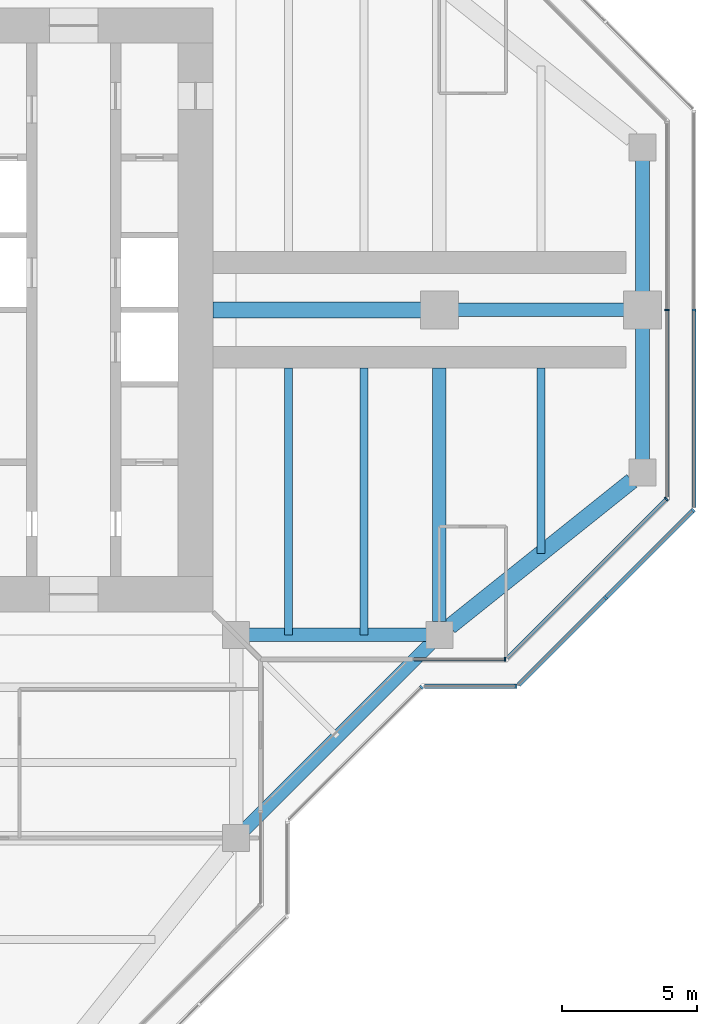
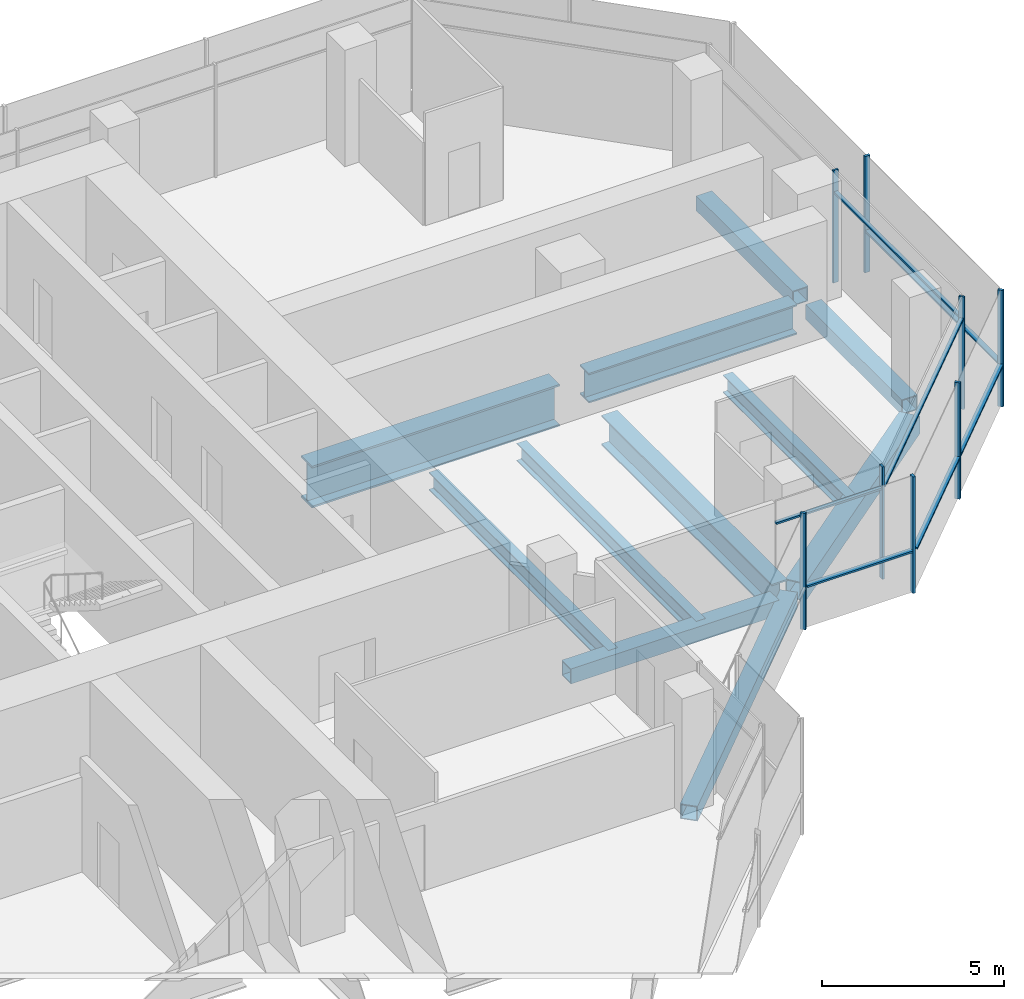
# One storey, part 5 of 15: 15 members, 11 beams, 7 elements without a shape of their own.
"""IFC4 building model written with IfcOpenShell, lengths in metres."""

from ifc_helpers import new_model, si_unit, direction, frame, origin, origin_2d, place, context, subcontext, project, spatial, rectangle, hollow_rectangle, i_section, extrude, material, material_profile, profile_set, type_object, element, aggregate, save


model = new_model("IFC4")

# Units and contexts
model_context = context("Model", 3, precision=1e-05, world=origin(), true_north=direction((0.0, 1.0)))
body_context = subcontext(model_context, "Body", "Model", "MODEL_VIEW")
ifc_project = project(units=[si_unit("LENGTHUNIT", "METRE"), si_unit("AREAUNIT", "SQUARE_METRE"), si_unit("VOLUMEUNIT", "CUBIC_METRE"), si_unit("PLANEANGLEUNIT", "RADIAN"), si_unit("MASSUNIT", "GRAM", prefix="KILO")], contexts=[model_context])

# Site, building, storey
site_placement = place(None, origin())
site = spatial("IfcSite", under=ifc_project, at=site_placement, CompositionType="ELEMENT")
building_placement = place(site_placement, origin())
building = spatial("IfcBuilding", under=site, at=building_placement, Name="Mizan Broadcast Tower", CompositionType="ELEMENT")
storey_placement = place(building_placement, frame((0.0, 0.0, 282.89990234375)))
storey = spatial("IfcBuildingStorey", under=building, at=storey_placement, Name="L67", CompositionType="ELEMENT", Elevation=282.89990234375)

# Beams
ifc_material_1 = material(Name="Steel S355", Category="steel")
ifc_material_profile_1 = material_profile(ifc_material_1, hollow_rectangle(XDim=0.5, YDim=0.5, WallThickness=0.030029296875, at=origin_2d()), Name="BOX 500x500x30")
ifc_profile_set_1 = profile_set([ifc_material_profile_1], Name="Steel S355")
beam_type_1 = type_object("IfcBeamType", Name="EDGE BEAM BOX 500x500x30", PredefinedType="SPANDREL", material=ifc_profile_set_1)
beam_1_placement = place(storey_placement, frame((12.449951171875, -12.0, -0.3798828125), z_axis=(1.0, 0.0, 0.0), x_axis=(0.0, 1.0, 0.0)))
element("IfcBeam", 1, at=beam_1_placement, inside=storey, type_object=beam_type_1, Name="Edge beam BOX 500x500x30 L67 east arm", PredefinedType="SPANDREL", context=body_context, shape_type="SweptSolid", body=[
    extrude(hollow_rectangle(XDim=0.5, YDim=0.5, WallThickness=0.030029296875, at=origin_2d()), origin(), (0.0, 0.0, 1.0), 6.60009765625),
])
for number, where, z_axis, x_axis, name in (
    (2, (27.0, -5.639892578125, -0.3798828125), (0.0, 1.0, 0.0), (-1.0, 0.0, 0.0), "Edge beam BOX 500x500x30 L67 east arm"),
    (3, (27.0, 5.639892578125, -0.3798828125), (0.0, -1.0, 0.0), (1.0, 0.0, 0.0), "Edge beam BOX 500x500x30 L67 east arm"),
):
    element("IfcBeam", number, at=place(storey_placement, frame(where, z_axis=z_axis, x_axis=x_axis)), inside=storey, type_object=beam_type_1, Name=name, PredefinedType="SPANDREL", context=body_context, shape_type="SweptSolid", body=[
        extrude(hollow_rectangle(XDim=0.5, YDim=0.5, WallThickness=0.030029296875, at=origin_2d()), origin(), (0.0, 0.0, 1.0), 5.27978515625),
    ])
beam_2_placement = place(storey_placement, frame((12.0, -19.5, -0.3798828125), z_axis=(0.707106781187, 0.707106781187, 0.0), x_axis=(-0.707106781187, 0.707106781187, 0.0)))
element("IfcBeam", 4, at=beam_2_placement, inside=storey, type_object=beam_type_1, Name="Winter garden edge beam L67 S", PredefinedType="SPANDREL", context=body_context, shape_type="SweptSolid", body=[
    extrude(hollow_rectangle(XDim=0.5, YDim=0.5, WallThickness=0.030029296875, at=origin_2d()), origin(), (0.0, 0.0, 1.0), 10.606689453125),
])
ifc_material_2 = material(Name="Steel S355", Category="steel")
ifc_material_profile_2 = material_profile(ifc_material_2, hollow_rectangle(XDim=0.60009765625, YDim=0.60009765625, WallThickness=0.030029296875, at=origin_2d()), Name="BOX 600x600x30")
ifc_profile_set_2 = profile_set([ifc_material_profile_2], Name="Steel S355")
beam_type_2 = type_object("IfcBeamType", Name="EDGE BEAM BOX 600x600x30", PredefinedType="SPANDREL", material=ifc_profile_set_2)
beam_3_placement = place(storey_placement, frame((19.890380859375, -11.687744140625, -0.429931640625), z_axis=(0.780863273348, 0.62470196761, 0.0), x_axis=(-0.62470196761, 0.780863273348, 0.0)))
element("IfcBeam", 5, at=beam_3_placement, inside=storey, type_object=beam_type_2, Name="Edge beam BOX 600x600x30 L67 east arm", PredefinedType="SPANDREL", context=body_context, shape_type="SweptSolid", body=[
    extrude(hollow_rectangle(XDim=0.60009765625, YDim=0.60009765625, WallThickness=0.030029296875, at=origin_2d()), origin(), (0.0, 0.0, 1.0), 8.60498046875),
])
ifc_material_3 = material(Name="Steel S460", Category="steel")
ifc_material_profile_3 = material_profile(ifc_material_3, i_section(OverallWidth=0.5, OverallDepth=1.0, WebThickness=0.02490234375, FlangeThickness=0.050048828125, at=origin_2d()), Name="WPG 1000x500")
ifc_profile_set_3 = profile_set([ifc_material_profile_3], Name="Steel S460")
beam_type_3 = type_object("IfcBeamType", Name="GIRDER WPG 1000x500", PredefinedType="BEAM", material=ifc_profile_set_3)
beam_4_placement = place(storey_placement, frame((19.949951171875, 0.0, -0.6298828125), z_axis=(1.0, 0.0, 0.0), x_axis=(0.0, 1.0, 0.0)))
element("IfcBeam", 6, at=beam_4_placement, inside=storey, type_object=beam_type_3, Name="Girder WPG 1000x500 L67 east arm", PredefinedType="BEAM", context=body_context, shape_type="SweptSolid", body=[
    extrude(i_section(OverallWidth=0.5, OverallDepth=1.0, WebThickness=0.02490234375, FlangeThickness=0.050048828125, at=origin_2d()), origin(), (0.0, 0.0, 1.0), 6.60009765625),
])
beam_5_placement = place(storey_placement, frame((19.5, -11.5, -0.6298828125), z_axis=(0.0, 1.0, 0.0), x_axis=(-1.0, 0.0, 0.0)))
element("IfcBeam", 7, at=beam_5_placement, inside=storey, type_object=beam_type_3, Name="Girder WPG 1000x500 L67 east arm", PredefinedType="BEAM", context=body_context, shape_type="SweptSolid", body=[
    extrude(i_section(OverallWidth=0.5, OverallDepth=1.0, WebThickness=0.02490234375, FlangeThickness=0.050048828125, at=origin_2d()), origin(), (0.0, 0.0, 1.0), 9.35009765625),
])
ifc_material_4 = material(Name="Steel S460", Category="steel")
ifc_material_profile_4 = material_profile(ifc_material_4, i_section(OverallWidth=0.60009765625, OverallDepth=1.39990234375, WebThickness=0.02490234375, FlangeThickness=0.06005859375, at=origin_2d()), Name="WPG 1400x600")
ifc_profile_set_4 = profile_set([ifc_material_profile_4], Name="Steel S460")
beam_type_4 = type_object("IfcBeamType", Name="GIRDER WPG 1400x600", PredefinedType="BEAM", material=ifc_profile_set_4)
beam_6_placement = place(storey_placement, frame((11.14990234375, 0.0, -0.829833984375), z_axis=(1.0, 0.0, 0.0), x_axis=(0.0, 1.0, 0.0)))
element("IfcBeam", 8, at=beam_6_placement, inside=storey, type_object=beam_type_4, Name="Girder WPG 1400x600 L67 east arm", PredefinedType="BEAM", context=body_context, shape_type="SweptSolid", body=[
    extrude(i_section(OverallWidth=0.60009765625, OverallDepth=1.39990234375, WebThickness=0.02490234375, FlangeThickness=0.06005859375, at=origin_2d()), origin(), (0.0, 0.0, 1.0), 7.84912109375),
])

# Curtain wall, member
ifc_material_5 = material(Name="Aluminium framed glazing", Category="aluminium")
curtain_wall_type_1 = type_object("IfcCurtainWallType", Name="INNER SKIN TOP ZONE", PredefinedType="USERDEFINED", material=ifc_material_5)
curtain_wall_1_placement = place(storey_placement, origin())
curtain_wall_1 = element("IfcCurtainWall", 9, at=curtain_wall_1_placement, inside=storey, type_object=curtain_wall_type_1, Name="Inner skin top zone L67 E side", ObjectType="INNER SKIN TOP ZONE", PredefinedType="USERDEFINED")
ifc_material_6 = material(Name="Aluminium, pale anodised", Category="aluminium")
ifc_material_profile_5 = material_profile(ifc_material_6, rectangle(XDim=0.159912109375, YDim=0.06005859375, at=origin_2d()), Name="MULLION 160x60")
ifc_profile_set_5 = profile_set([ifc_material_profile_5], Name="Aluminium, pale anodised")
member_type_1 = type_object("IfcMemberType", Name="INNER SKIN MULLION 60x160", PredefinedType="MULLION", material=ifc_profile_set_5)
member_1_placement = place(storey_placement, frame((21.928466796875, -12.89990234375, 0.0), z_axis=(0.0, 0.0, 1.0), x_axis=(0.0, 1.0, 0.0)))
member_1 = element("IfcMember", 10, at=member_1_placement, type_object=member_type_1, Name="Inner skin top zone L67 E side mullion 2", PredefinedType="MULLION", context=body_context, shape_type="SweptSolid", body=[
    extrude(rectangle(XDim=0.159912109375, YDim=0.06005859375, at=origin_2d()), origin(), (0.0, 0.0, 1.0), 3.77001953125),
])

curtain_wall_2_placement = place(storey_placement, origin())
curtain_wall_2 = element("IfcCurtainWall", 11, at=curtain_wall_2_placement, inside=storey, type_object=curtain_wall_type_1, Name="Inner skin top zone L67 E chamfer", ObjectType="INNER SKIN TOP ZONE", PredefinedType="USERDEFINED")
member_2_placement = place(storey_placement, frame((27.87890625, -6.979736328125, 0.0), z_axis=(0.0, 0.0, 1.0), x_axis=(-0.707106781187, 0.707106781187, 0.0)))
member_2 = element("IfcMember", 12, at=member_2_placement, type_object=member_type_1, Name="Inner skin top zone L67 E chamfer mullion 2", PredefinedType="MULLION", context=body_context, shape_type="SweptSolid", body=[
    extrude(rectangle(XDim=0.159912109375, YDim=0.06005859375, at=origin_2d()), origin(), (0.0, 0.0, 1.0), 3.77001953125),
])

curtain_wall_3_placement = place(storey_placement, origin())
curtain_wall_3 = element("IfcCurtainWall", 13, at=curtain_wall_3_placement, inside=storey, type_object=curtain_wall_type_1, Name="Inner skin top zone L67 E end", ObjectType="INNER SKIN TOP ZONE", PredefinedType="USERDEFINED")
member_3_placement = place(storey_placement, frame((27.89990234375, 0.0, 0.0), z_axis=(0.0, 0.0, 1.0), x_axis=(-1.0, 0.0, 0.0)))
member_3 = element("IfcMember", 14, at=member_3_placement, type_object=member_type_1, Name="Inner skin top zone L67 E end mullion 2", PredefinedType="MULLION", context=body_context, shape_type="SweptSolid", body=[
    extrude(rectangle(XDim=0.159912109375, YDim=0.06005859375, at=origin_2d()), origin(), (0.0, 0.0, 1.0), 3.77001953125),
])

# Member
ifc_material_7 = material(Name="Aluminium, pale anodised", Category="aluminium")
ifc_material_profile_6 = material_profile(ifc_material_7, rectangle(XDim=0.1201171875, YDim=0.06005859375, at=origin_2d()), Name="TRANSOM 120x60")
ifc_profile_set_6 = profile_set([ifc_material_profile_6], Name="Aluminium, pale anodised")
member_type_2 = type_object("IfcMemberType", Name="INNER SKIN TRANSOM 60x120", PredefinedType="USERDEFINED", material=ifc_profile_set_6)
member_4_placement = place(storey_placement, frame((18.56005859375, -12.89990234375, 3.030029296875), z_axis=(1.0, 0.0, 0.0), x_axis=(0.0, 1.0, 0.0)))
member_4 = element("IfcMember", 15, at=member_4_placement, type_object=member_type_2, Name="Inner skin top zone L67 E side transom 1.1", ObjectType="TRANSOM", PredefinedType="USERDEFINED", context=body_context, shape_type="SweptSolid", body=[
    extrude(rectangle(XDim=0.1201171875, YDim=0.06005859375, at=origin_2d()), origin(), (0.0, 0.0, 1.0), 3.338623046875),
])

aggregate(curtain_wall_1, [member_1, member_4])

member_5_placement = place(storey_placement, frame((22.0009765625, -12.857666015625, 3.030029296875), z_axis=(0.707106781187, 0.707106781187, 0.0), x_axis=(-0.707106781187, 0.707106781187, 0.0)))
member_5 = element("IfcMember", 16, at=member_5_placement, type_object=member_type_2, Name="Inner skin top zone L67 E chamfer transom 1.1", ObjectType="TRANSOM", PredefinedType="USERDEFINED", context=body_context, shape_type="SweptSolid", body=[
    extrude(rectangle(XDim=0.1201171875, YDim=0.06005859375, at=origin_2d()), origin(), (0.0, 0.0, 1.0), 8.28271484375),
])

aggregate(curtain_wall_2, [member_2, member_5])

member_6_placement = place(storey_placement, frame((27.89990234375, -6.898681640625, 3.030029296875), z_axis=(0.0, 1.0, 0.0), x_axis=(-1.0, 0.0, 0.0)))
member_6 = element("IfcMember", 17, at=member_6_placement, type_object=member_type_2, Name="Inner skin top zone L67 E end transom 1.1", ObjectType="TRANSOM", PredefinedType="USERDEFINED", context=body_context, shape_type="SweptSolid", body=[
    extrude(rectangle(XDim=0.1201171875, YDim=0.06005859375, at=origin_2d()), origin(), (0.0, 0.0, 1.0), 6.86865234375),
])

aggregate(curtain_wall_3, [member_3, member_6])

# Curtain wall, member
ifc_material_8 = material(Name="Aluminium framed glazing", Category="aluminium")
curtain_wall_type_2 = type_object("IfcCurtainWallType", Name="OUTER SKIN", PredefinedType="USERDEFINED", material=ifc_material_8)
curtain_wall_4_placement = place(storey_placement, origin())
curtain_wall_4 = element("IfcCurtainWall", 18, at=curtain_wall_4_placement, inside=storey, type_object=curtain_wall_type_2, Name="Outer skin L67 E chamfer", ObjectType="OUTER SKIN", PredefinedType="USERDEFINED")
ifc_material_9 = material(Name="Aluminium, pale anodised", Category="aluminium")
ifc_material_profile_7 = material_profile(ifc_material_9, rectangle(XDim=0.159912109375, YDim=0.080078125, at=origin_2d()), Name="MULLION 160x80")
ifc_profile_set_7 = profile_set([ifc_material_profile_7], Name="Aluminium, pale anodised")
member_type_3 = type_object("IfcMemberType", Name="OUTER SKIN MULLION 80x160", PredefinedType="MULLION", material=ifc_profile_set_7)
member_7_placement = place(storey_placement, frame((18.844482421875, -13.92822265625, 0.0), z_axis=(0.0, 0.0, 1.0), x_axis=(-0.707106781187, 0.707106781187, 0.0)))
member_7 = element("IfcMember", 19, at=member_7_placement, type_object=member_type_3, Name="Outer skin L67 E chamfer mullion 2", PredefinedType="MULLION", context=body_context, shape_type="SweptSolid", body=[
    extrude(rectangle(XDim=0.159912109375, YDim=0.080078125, at=origin_2d()), origin(), (0.0, 0.0, 1.0), 3.900146484375),
])
aggregate(curtain_wall_4, [member_7])

curtain_wall_5_placement = place(storey_placement, origin())
curtain_wall_5 = element("IfcCurtainWall", 20, at=curtain_wall_5_placement, inside=storey, type_object=curtain_wall_type_2, Name="Outer skin L67 E side", ObjectType="OUTER SKIN", PredefinedType="USERDEFINED")
member_8_placement = place(storey_placement, frame((22.332763671875, -13.89990234375, 0.0), z_axis=(0.0, 0.0, 1.0), x_axis=(0.0, 1.0, 0.0)))
member_8 = element("IfcMember", 21, at=member_8_placement, type_object=member_type_3, Name="Outer skin L67 E side mullion 2", PredefinedType="MULLION", context=body_context, shape_type="SweptSolid", body=[
    extrude(rectangle(XDim=0.159912109375, YDim=0.080078125, at=origin_2d()), origin(), (0.0, 0.0, 1.0), 3.900146484375),
])

# Curtain wall, members
curtain_wall_6_placement = place(storey_placement, origin())
curtain_wall_6 = element("IfcCurtainWall", 22, at=curtain_wall_6_placement, inside=storey, type_object=curtain_wall_type_2, Name="Outer skin L67 E chamfer", ObjectType="OUTER SKIN", PredefinedType="USERDEFINED")
member_9_placement = place(storey_placement, frame((25.636474609375, -10.636474609375, 0.0), z_axis=(0.0, 0.0, 1.0), x_axis=(-0.707106781187, 0.707106781187, 0.0)))
member_9 = element("IfcMember", 23, at=member_9_placement, type_object=member_type_3, Name="Outer skin L67 E chamfer mullion 2", PredefinedType="MULLION", context=body_context, shape_type="SweptSolid", body=[
    extrude(rectangle(XDim=0.159912109375, YDim=0.080078125, at=origin_2d()), origin(), (0.0, 0.0, 1.0), 3.900146484375),
])
member_10_placement = place(storey_placement, frame((28.871826171875, -7.401123046875, 0.0), z_axis=(0.0, 0.0, 1.0), x_axis=(-0.707106781187, 0.707106781187, 0.0)))
member_10 = element("IfcMember", 24, at=member_10_placement, type_object=member_type_3, Name="Outer skin L67 E chamfer mullion 3", PredefinedType="MULLION", context=body_context, shape_type="SweptSolid", body=[
    extrude(rectangle(XDim=0.159912109375, YDim=0.080078125, at=origin_2d()), origin(), (0.0, 0.0, 1.0), 3.900146484375),
])

# Curtain wall, member
curtain_wall_7_placement = place(storey_placement, origin())
curtain_wall_7 = element("IfcCurtainWall", 25, at=curtain_wall_7_placement, inside=storey, type_object=curtain_wall_type_2, Name="Outer skin L67 E end", ObjectType="OUTER SKIN", PredefinedType="USERDEFINED")
member_11_placement = place(storey_placement, frame((28.89990234375, 0.0, 0.0), z_axis=(0.0, 0.0, 1.0), x_axis=(-1.0, 0.0, 0.0)))
member_11 = element("IfcMember", 26, at=member_11_placement, type_object=member_type_3, Name="Outer skin L67 E end mullion 2", PredefinedType="MULLION", context=body_context, shape_type="SweptSolid", body=[
    extrude(rectangle(XDim=0.159912109375, YDim=0.080078125, at=origin_2d()), origin(), (0.0, 0.0, 1.0), 3.900146484375),
])

# Member
ifc_material_10 = material(Name="Aluminium, pale anodised", Category="aluminium")
ifc_material_profile_8 = material_profile(ifc_material_10, rectangle(XDim=0.159912109375, YDim=0.06005859375, at=origin_2d()), Name="TRANSOM 160x60")
ifc_profile_set_8 = profile_set([ifc_material_profile_8], Name="Aluminium, pale anodised")
member_type_4 = type_object("IfcMemberType", Name="OUTER SKIN TRANSOM 60x160", PredefinedType="USERDEFINED", material=ifc_profile_set_8)
member_12_placement = place(storey_placement, frame((18.952880859375, -13.89990234375, 1.400146484375), z_axis=(1.0, 0.0, 0.0), x_axis=(0.0, 1.0, 0.0)))
member_12 = element("IfcMember", 27, at=member_12_placement, type_object=member_type_4, Name="Outer skin L67 E side transom 1.1", ObjectType="TRANSOM", PredefinedType="USERDEFINED", context=body_context, shape_type="SweptSolid", body=[
    extrude(rectangle(XDim=0.159912109375, YDim=0.06005859375, at=origin_2d()), origin(), (0.0, 0.0, 1.0), 3.33984375),
])

aggregate(curtain_wall_5, [member_8, member_12])

member_13_placement = place(storey_placement, frame((22.429443359375, -13.843505859375, 1.400146484375), z_axis=(0.707106781187, 0.707106781187, 0.0), x_axis=(-0.707106781187, 0.707106781187, 0.0)))
member_13 = element("IfcMember", 28, at=member_13_placement, type_object=member_type_4, Name="Outer skin L67 E chamfer transom 1.1", ObjectType="TRANSOM", PredefinedType="USERDEFINED", context=body_context, shape_type="SweptSolid", body=[
    extrude(rectangle(XDim=0.159912109375, YDim=0.06005859375, at=origin_2d()), origin(), (0.0, 0.0, 1.0), 4.495361328125),
])

member_14_placement = place(storey_placement, frame((25.664794921875, -10.608154296875, 1.400146484375), z_axis=(0.707106781187, 0.707106781187, 0.0), x_axis=(-0.707106781187, 0.707106781187, 0.0)))
member_14 = element("IfcMember", 29, at=member_14_placement, type_object=member_type_4, Name="Outer skin L67 E chamfer transom 2.1", ObjectType="TRANSOM", PredefinedType="USERDEFINED", context=body_context, shape_type="SweptSolid", body=[
    extrude(rectangle(XDim=0.159912109375, YDim=0.06005859375, at=origin_2d()), origin(), (0.0, 0.0, 1.0), 4.495361328125),
])

aggregate(curtain_wall_6, [member_9, member_10, member_13, member_14])

member_15_placement = place(storey_placement, frame((28.89990234375, -7.292724609375, 1.400146484375), z_axis=(0.0, 1.0, 0.0), x_axis=(-1.0, 0.0, 0.0)))
member_15 = element("IfcMember", 30, at=member_15_placement, type_object=member_type_4, Name="Outer skin L67 E end transom 1.1", ObjectType="TRANSOM", PredefinedType="USERDEFINED", context=body_context, shape_type="SweptSolid", body=[
    extrude(rectangle(XDim=0.159912109375, YDim=0.06005859375, at=origin_2d()), origin(), (0.0, 0.0, 1.0), 7.252685546875),
])

aggregate(curtain_wall_7, [member_11, member_15])

# Beams
ifc_material_11 = material(Name="Steel S355", Category="steel")
ifc_material_profile_9 = material_profile(ifc_material_11, i_section(OverallWidth=0.300048828125, OverallDepth=0.590087890625, WebThickness=0.012939453125, FlangeThickness=0.02490234375, FilletRadius=0.027099609375, at=origin_2d()), Name="HEA 600")
ifc_profile_set_9 = profile_set([ifc_material_profile_9], Name="Steel S355")
beam_type_5 = type_object("IfcBeamType", Name="SECONDARY BEAM HEA 600", PredefinedType="JOIST", material=ifc_profile_set_9)
for number, where, z_axis, x_axis, name in (
    (31, (13.933349609375, -12.0, -0.4248046875), (0.0, 1.0, 0.0), (-1.0, 0.0, 0.0), "Secondary beam HEA 600 L67 east arm"),
    (32, (16.716552734375, -12.0, -0.4248046875), (0.0, 1.0, 0.0), (-1.0, 0.0, 0.0), "Secondary beam HEA 600 L67 east arm"),
):
    element("IfcBeam", number, at=place(storey_placement, frame(where, z_axis=z_axis, x_axis=x_axis)), inside=storey, type_object=beam_type_5, Name=name, PredefinedType="JOIST", context=body_context, shape_type="SweptSolid", body=[
        extrude(i_section(OverallWidth=0.300048828125, OverallDepth=0.590087890625, WebThickness=0.012939453125, FlangeThickness=0.02490234375, FilletRadius=0.027099609375, at=origin_2d()), origin(), (0.0, 0.0, 1.0), 9.85009765625),
    ])
beam_7_placement = place(storey_placement, frame((23.25, -9.0, -0.4248046875), z_axis=(0.0, 1.0, 0.0), x_axis=(-1.0, 0.0, 0.0)))
element("IfcBeam", 33, at=beam_7_placement, inside=storey, type_object=beam_type_5, Name="Secondary beam HEA 600 L67 east arm", PredefinedType="JOIST", context=body_context, shape_type="SweptSolid", body=[
    extrude(i_section(OverallWidth=0.300048828125, OverallDepth=0.590087890625, WebThickness=0.012939453125, FlangeThickness=0.02490234375, FilletRadius=0.027099609375, at=origin_2d()), origin(), (0.0, 0.0, 1.0), 6.85009765625),
])

save(model, "model.ifc")
